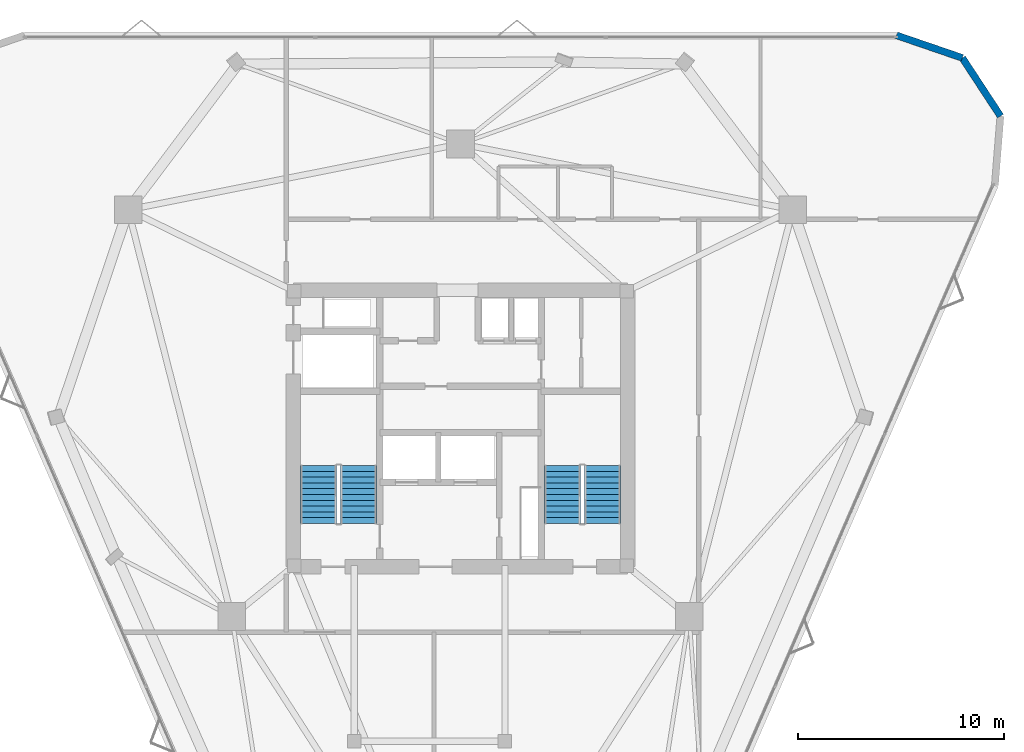
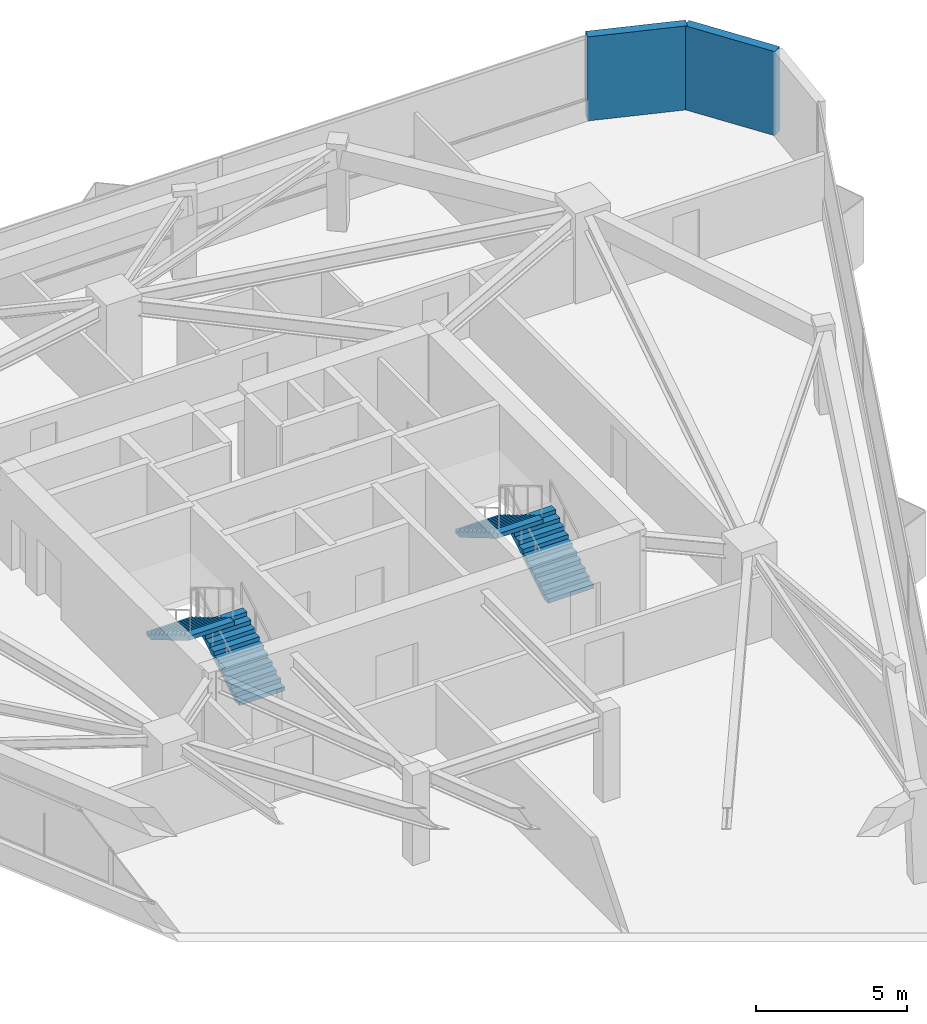
# One storey, part 11 of 12: 4 stair flights, 2 walls, 2 elements without a shape of their own.
"""IFC4 building model written with IfcOpenShell, lengths in metres."""

from ifc_helpers import new_model, si_unit, direction, frame, frame_2d, origin, place, context, subcontext, project, spatial, polyline, rectangle, outline, extrude, material, layer, layer_set, type_object, element, aggregate, save


model = new_model("IFC4")

# Units and contexts
model_context = context("Model", 3, precision=1e-05, world=origin(), true_north=direction((0.0, 1.0)))
body_context = subcontext(model_context, "Body", "Model", "MODEL_VIEW")
ifc_project = project(units=[si_unit("LENGTHUNIT", "METRE"), si_unit("AREAUNIT", "SQUARE_METRE"), si_unit("VOLUMEUNIT", "CUBIC_METRE"), si_unit("PLANEANGLEUNIT", "RADIAN"), si_unit("MASSUNIT", "GRAM", prefix="KILO")], contexts=[model_context])

# Site, building, storey
site_placement = place(None, origin())
site = spatial("IfcSite", under=ifc_project, at=site_placement, CompositionType="ELEMENT")
building_placement = place(site_placement, origin())
building = spatial("IfcBuilding", under=site, at=building_placement, Name="Talyreon Biosciences Tower", CompositionType="ELEMENT")
storey_placement = place(building_placement, frame((0.0, 0.0, 197.64990234375)))
storey = spatial("IfcBuildingStorey", under=building, at=storey_placement, Name="L52", CompositionType="ELEMENT", Elevation=197.64990234375)

# Walls
ifc_material_1 = material(Name="Precast concrete C45/55", Category="concrete")
ifc_layer = layer(ifc_material_1, 0.340087890625)
ifc_layer_set = layer_set([ifc_layer], Name="Precast concrete C45/55")
wall_type = type_object("IfcWallType", Name="PrecastConcreteSpandrelWall_340", PredefinedType="STANDARD", material=ifc_layer_set)
wall_1_placement = place(storey_placement, frame((87.130859375, 87.052001953125, 0.0), z_axis=(0.0, 0.0, 1.0), x_axis=(0.945992271602, -0.32418917636, 0.0)))
element("IfcWall", 1, at=wall_1_placement, inside=storey, type_object=wall_type, Name="L52 Rounded-Corner Concrete Pier 05", PredefinedType="STANDARD", context=body_context, shape_type="SweptSolid", body=[
    extrude(rectangle(XDim=3.37158203125, YDim=0.340087890625, at=frame_2d((1.685791015625, 0.0))), origin(), (0.0, 0.0, 1.0), 3.400146484375),
])
wall_2_placement = place(storey_placement, frame((90.3203125, 85.958984375, 0.0), z_axis=(0.0, 0.0, 1.0), x_axis=(0.548234112363, -0.836324911767, 0.0)))
element("IfcWall", 2, at=wall_2_placement, inside=storey, type_object=wall_type, Name="L52 Rounded-Corner Concrete Pier 06", PredefinedType="STANDARD", context=body_context, shape_type="SweptSolid", body=[
    extrude(rectangle(XDim=3.3720703125, YDim=0.340087890625, at=frame_2d((1.68603515625, 0.0))), origin(), (0.0, 0.0, 1.0), 3.400146484375),
])

# Stair, stair flights
ifc_material_2 = material(Name="Concrete C40/50", Category="concrete")
stair_type = type_object("IfcStairType", Name="DoglegEscapeStair_3650", PredefinedType="HALF_TURN_STAIR", material=ifc_material_2)
stair_1_placement = place(storey_placement, origin())
stair_1 = element("IfcStair", 3, at=stair_1_placement, inside=storey, type_object=stair_type, Name="L52 Core Escape Stair 1", PredefinedType="HALF_TURN_STAIR")
stair_flight_type = type_object("IfcStairFlightType", Name="PrecastStairFlight_3650", PredefinedType="STRAIGHT", material=ifc_material_2)
stair_flight_1_placement = place(storey_placement, frame((61.06005859375, 63.39990234375, 0.0), z_axis=(0.0, 0.0, 1.0), x_axis=(0.0, 1.0, 0.0)))
stair_flight_1 = element("IfcStairFlight", 4, at=stair_flight_1_placement, type_object=stair_flight_type, Name="ST-1 flight 1", NumberOfRisers=11, NumberOfTreads=10, PredefinedType="STRAIGHT", RiserHeight=0.165909091, TreadLength=0.28, context=body_context, shape_type="SweptSolid", body=[
    extrude(outline(polyline([(0.0, 0.0), (0.0, 0.166015625), (0.280029296875, 0.166015625), (0.280029296875, 0.331787109375), (0.56005859375, 0.331787109375), (0.56005859375, 0.497802734375), (0.840087890625, 0.497802734375), (0.840087890625, 0.66357421875), (1.1201171875, 0.66357421875), (1.1201171875, 0.82958984375), (1.39990234375, 0.82958984375), (1.39990234375, 0.995361328125), (1.679931640625, 0.995361328125), (1.679931640625, 1.161376953125), (1.9599609375, 1.161376953125), (1.9599609375, 1.327392578125), (2.239990234375, 1.327392578125), (2.239990234375, 1.4931640625), (2.52001953125, 1.4931640625), (2.52001953125, 1.6591796875), (2.800048828125, 1.6591796875), (2.800048828125, 1.824951171875), (2.800048828125, 1.48486328125), (0.2939453125, 0.0), (0.0, 0.0)])), frame((0.0, 0.8701171875, 0.0), z_axis=(0.0, -1.0, 0.0), x_axis=(1.0, 0.0, 0.0)), (0.0, 0.0, 1.0), 1.739990234375),
])
stair_flight_2_placement = place(storey_placement, frame((59.1201171875, 66.199951171875, 1.8251953125), z_axis=(0.0, 0.0, 1.0), x_axis=(0.0, -1.0, 0.0)))
stair_flight_2 = element("IfcStairFlight", 5, at=stair_flight_2_placement, type_object=stair_flight_type, Name="ST-1 flight 2", NumberOfRisers=11, NumberOfTreads=10, PredefinedType="STRAIGHT", RiserHeight=0.165909091, TreadLength=0.28, context=body_context, shape_type="SweptSolid", body=[
    extrude(outline(polyline([(0.0, 0.0), (0.0, 0.166015625), (0.280029296875, 0.166015625), (0.280029296875, 0.331787109375), (0.56005859375, 0.331787109375), (0.56005859375, 0.497802734375), (0.840087890625, 0.497802734375), (0.840087890625, 0.66357421875), (1.1201171875, 0.66357421875), (1.1201171875, 0.82958984375), (1.39990234375, 0.82958984375), (1.39990234375, 0.995361328125), (1.679931640625, 0.995361328125), (1.679931640625, 1.161376953125), (1.9599609375, 1.161376953125), (1.9599609375, 1.327392578125), (2.239990234375, 1.327392578125), (2.239990234375, 1.4931640625), (2.52001953125, 1.4931640625), (2.52001953125, 1.6591796875), (2.800048828125, 1.6591796875), (2.800048828125, 1.824951171875), (2.800048828125, 1.48486328125), (0.2939453125, 0.0), (0.0, 0.0)])), frame((0.0, 0.8701171875, 0.0), z_axis=(0.0, -1.0, 0.0), x_axis=(1.0, 0.0, 0.0)), (0.0, 0.0, 1.0), 1.739990234375),
])
aggregate(stair_1, [stair_flight_1, stair_flight_2])

stair_2_placement = place(storey_placement, origin())
stair_2 = element("IfcStair", 6, at=stair_2_placement, inside=storey, type_object=stair_type, Name="L52 Core Escape Stair 2", PredefinedType="HALF_TURN_STAIR")
stair_flight_3_placement = place(storey_placement, frame((72.8798828125, 63.39990234375, 0.0), z_axis=(0.0, 0.0, 1.0), x_axis=(0.0, 1.0, 0.0)))
stair_flight_3 = element("IfcStairFlight", 7, at=stair_flight_3_placement, type_object=stair_flight_type, Name="ST-2 flight 1", NumberOfRisers=11, NumberOfTreads=10, PredefinedType="STRAIGHT", RiserHeight=0.165909091, TreadLength=0.28, context=body_context, shape_type="SweptSolid", body=[
    extrude(outline(polyline([(0.0, 0.0), (0.0, 0.166015625), (0.280029296875, 0.166015625), (0.280029296875, 0.331787109375), (0.56005859375, 0.331787109375), (0.56005859375, 0.497802734375), (0.840087890625, 0.497802734375), (0.840087890625, 0.66357421875), (1.1201171875, 0.66357421875), (1.1201171875, 0.82958984375), (1.39990234375, 0.82958984375), (1.39990234375, 0.995361328125), (1.679931640625, 0.995361328125), (1.679931640625, 1.161376953125), (1.9599609375, 1.161376953125), (1.9599609375, 1.327392578125), (2.239990234375, 1.327392578125), (2.239990234375, 1.4931640625), (2.52001953125, 1.4931640625), (2.52001953125, 1.6591796875), (2.800048828125, 1.6591796875), (2.800048828125, 1.824951171875), (2.800048828125, 1.48486328125), (0.2939453125, 0.0), (0.0, 0.0)])), frame((0.0, 0.8701171875, 0.0), z_axis=(0.0, -1.0, 0.0), x_axis=(1.0, 0.0, 0.0)), (0.0, 0.0, 1.0), 1.739990234375),
])
stair_flight_4_placement = place(storey_placement, frame((70.93994140625, 66.199951171875, 1.8251953125), z_axis=(0.0, 0.0, 1.0), x_axis=(0.0, -1.0, 0.0)))
stair_flight_4 = element("IfcStairFlight", 8, at=stair_flight_4_placement, type_object=stair_flight_type, Name="ST-2 flight 2", NumberOfRisers=11, NumberOfTreads=10, PredefinedType="STRAIGHT", RiserHeight=0.165909091, TreadLength=0.28, context=body_context, shape_type="SweptSolid", body=[
    extrude(outline(polyline([(0.0, 0.0), (0.0, 0.166015625), (0.280029296875, 0.166015625), (0.280029296875, 0.331787109375), (0.56005859375, 0.331787109375), (0.56005859375, 0.497802734375), (0.840087890625, 0.497802734375), (0.840087890625, 0.66357421875), (1.1201171875, 0.66357421875), (1.1201171875, 0.82958984375), (1.39990234375, 0.82958984375), (1.39990234375, 0.995361328125), (1.679931640625, 0.995361328125), (1.679931640625, 1.161376953125), (1.9599609375, 1.161376953125), (1.9599609375, 1.327392578125), (2.239990234375, 1.327392578125), (2.239990234375, 1.4931640625), (2.52001953125, 1.4931640625), (2.52001953125, 1.6591796875), (2.800048828125, 1.6591796875), (2.800048828125, 1.824951171875), (2.800048828125, 1.48486328125), (0.2939453125, 0.0), (0.0, 0.0)])), frame((0.0, 0.8701171875, 0.0), z_axis=(0.0, -1.0, 0.0), x_axis=(1.0, 0.0, 0.0)), (0.0, 0.0, 1.0), 1.739990234375),
])
aggregate(stair_2, [stair_flight_3, stair_flight_4])

save(model, "model.ifc")
